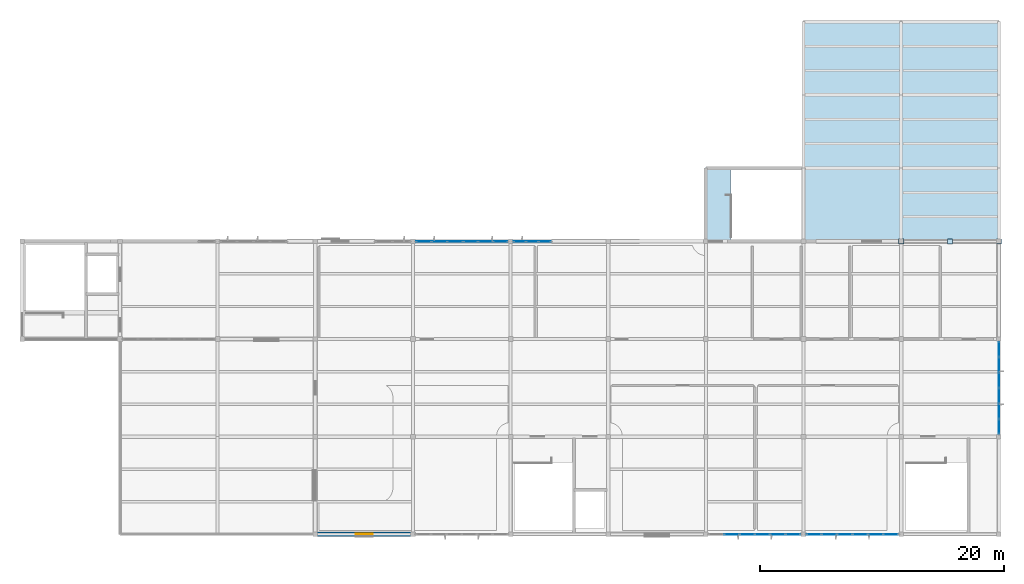
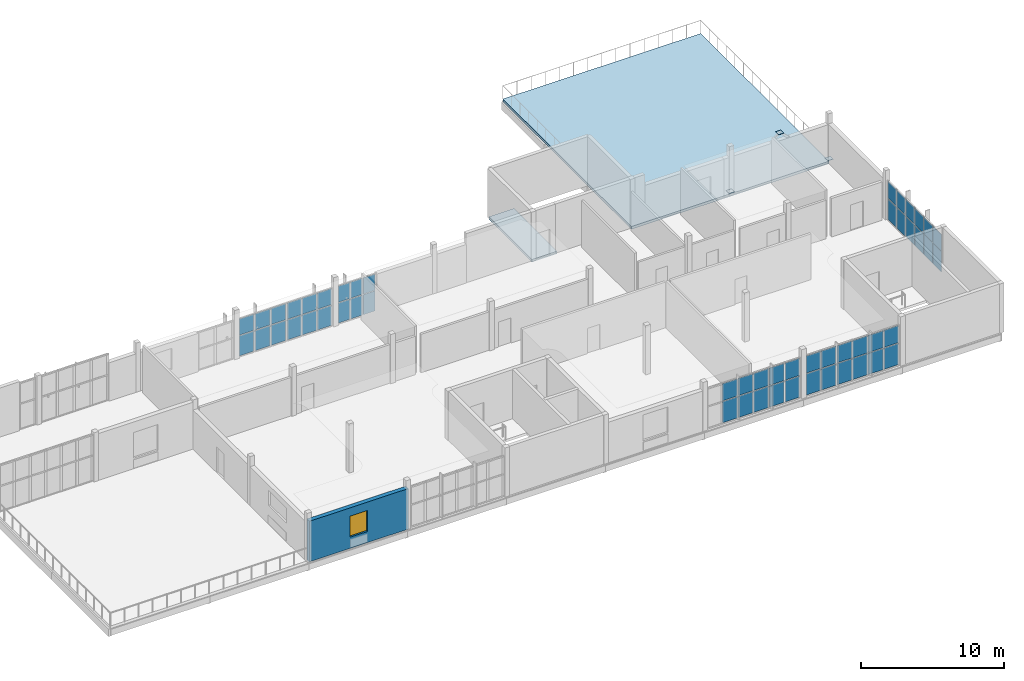
# One storey, part 8 of 15: 55 plates, 2 slabs, 1 wall, 1 window, 1 opening, 6 elements without a shape of their own.
"""IFC4 building model written with IfcOpenShell, lengths in metres."""

from ifc_helpers import new_model, si_unit, direction, frame, frame_2d, origin, origin_2d, place, context, subcontext, project, spatial, polyline, rectangle, outline, extrude, material, layer, layer_set, type_object, element, fill, aggregate, save


model = new_model("IFC4")

# Units and contexts
model_context = context("Model", 3, precision=1e-05, world=origin(), true_north=direction((0.0, 1.0)))
body_context = subcontext(model_context, "Body", "Model", "MODEL_VIEW")
ifc_project = project(units=[si_unit("LENGTHUNIT", "METRE"), si_unit("AREAUNIT", "SQUARE_METRE"), si_unit("VOLUMEUNIT", "CUBIC_METRE"), si_unit("PLANEANGLEUNIT", "RADIAN"), si_unit("MASSUNIT", "GRAM", prefix="KILO")], contexts=[model_context])

# Site, building, storey
site_placement = place(None, origin())
site = spatial("IfcSite", under=ifc_project, at=site_placement, CompositionType="ELEMENT")
building_placement = place(site_placement, origin())
building = spatial("IfcBuilding", under=site, at=building_placement, Name="Solvane Community Centre", CompositionType="ELEMENT")
storey_placement = place(building_placement, frame((0.0, 0.0, 18.0)))
storey = spatial("IfcBuildingStorey", under=building, at=storey_placement, Name="L04", CompositionType="ELEMENT", Elevation=18.0)

# Plates
ifc_material_1 = material(Name="Steel ASTM A572 Grade 50", Category="steel")
ifc_layer_1 = layer(ifc_material_1, 0.02392578125)
ifc_layer_set_1 = layer_set([ifc_layer_1], Name="Steel ASTM A572 Grade 50")
plate_type_1 = type_object("IfcPlateType", Name="Bracing Node Gusset Plate 420x420x24", PredefinedType="USERDEFINED", material=ifc_layer_set_1)
for number, where, z_axis, x_axis, name in (
    (1, (136.0, 30.0, 3.838134765625), (0.0, 0.0, 1.0), (1.0, 0.0, 0.0), "Gusset Plate PLT-L04-0124"),
    (2, (132.0, 30.0, 0.2080078125), (0.0, 0.0, 1.0), (1.0, 0.0, 0.0), "Gusset Plate PLT-L04-0125"),
    (3, (140.0, 30.0, 0.2080078125), (0.0, 0.0, 1.0), (1.0, 0.0, 0.0), "Gusset Plate PLT-L04-0126"),
):
    element("IfcPlate", number, at=place(storey_placement, frame(where, z_axis=z_axis, x_axis=x_axis)), inside=storey, type_object=plate_type_1, Name=name, ObjectType="GUSSET_PLATE", PredefinedType="USERDEFINED", context=body_context, shape_type="SweptSolid", body=[
        extrude(rectangle(XDim=0.419921875, YDim=0.419921875, at=origin_2d()), origin(), (0.0, 0.0, 1.0), 0.02392578125),
    ])

# Curtain wall, plates
ifc_material_2 = material(Name="Anodised bronze aluminium AW-6063 T6", Category="aluminium")
ifc_layer_2 = layer(ifc_material_2, 0.199951171875)
ifc_layer_set_2 = layer_set([ifc_layer_2], Name="Anodised bronze aluminium AW-6063 T6")
curtain_wall_type_1 = type_object("IfcCurtainWallType", Name="Courtyard Cloister Curtain Wall [31x33dm]", PredefinedType="NOTDEFINED", material=ifc_layer_set_2)
curtain_wall_1_placement = place(storey_placement, origin())
curtain_wall_1 = element("IfcCurtainWall", 4, at=curtain_wall_1_placement, inside=storey, type_object=curtain_wall_type_1, Name="Curtain Wall CW-L04-1002_300-240", PredefinedType="NOTDEFINED")
ifc_material_3 = material(Name="Tempered low-E double glazing", Category="glass")
ifc_layer_3 = layer(ifc_material_3, 0.028076171875)
ifc_layer_set_3 = layer_set([ifc_layer_3], Name="Tempered low-E double glazing")
plate_type_2 = type_object("IfcPlateType", Name="Cloister Vision Glazing Panel 28mm [31x33dm]", PredefinedType="CURTAIN_PANEL", material=ifc_layer_set_3)
plate_1_placement = place(storey_placement, frame((100.741455078125, 30.0, 0.06005859375), z_axis=(0.0, 0.0, 1.0), x_axis=(1.0, 0.0, 0.0)))
plate_1 = element("IfcPlate", 5, at=plate_1_placement, type_object=plate_type_2, Name="CW03-31x33 panel 1.1", PredefinedType="CURTAIN_PANEL", context=body_context, shape_type="SweptSolid", body=[
    extrude(rectangle(XDim=0.952880859375, YDim=0.028076171875, at=origin_2d()), origin(), (0.0, 0.0, 1.0), 1.717041015625),
])
plate_2_placement = place(storey_placement, frame((100.741455078125, 30.0, 1.8369140625), z_axis=(0.0, 0.0, 1.0), x_axis=(1.0, 0.0, 0.0)))
plate_2 = element("IfcPlate", 6, at=plate_2_placement, type_object=plate_type_2, Name="CW03-31x33 panel 1.2", PredefinedType="CURTAIN_PANEL", context=body_context, shape_type="SweptSolid", body=[
    extrude(rectangle(XDim=0.952880859375, YDim=0.028076171875, at=origin_2d()), origin(), (0.0, 0.0, 1.0), 1.387939453125),
])
plate_3_placement = place(storey_placement, frame((101.76904296875, 30.0, 0.06005859375), z_axis=(0.0, 0.0, 1.0), x_axis=(1.0, 0.0, 0.0)))
plate_3 = element("IfcPlate", 7, at=plate_3_placement, type_object=plate_type_2, Name="CW03-31x33 panel 2.1", PredefinedType="CURTAIN_PANEL", context=body_context, shape_type="SweptSolid", body=[
    extrude(rectangle(XDim=0.982666015625, YDim=0.028076171875, at=origin_2d()), origin(), (0.0, 0.0, 1.0), 1.717041015625),
])
plate_4_placement = place(storey_placement, frame((101.76904296875, 30.0, 1.8369140625), z_axis=(0.0, 0.0, 1.0), x_axis=(1.0, 0.0, 0.0)))
plate_4 = element("IfcPlate", 8, at=plate_4_placement, type_object=plate_type_2, Name="CW03-31x33 panel 2.2", PredefinedType="CURTAIN_PANEL", context=body_context, shape_type="SweptSolid", body=[
    extrude(rectangle(XDim=0.982666015625, YDim=0.028076171875, at=origin_2d()), origin(), (0.0, 0.0, 1.0), 1.387939453125),
])
plate_5_placement = place(storey_placement, frame((102.796875, 30.0, 0.06005859375), z_axis=(0.0, 0.0, 1.0), x_axis=(1.0, 0.0, 0.0)))
plate_5 = element("IfcPlate", 9, at=plate_5_placement, type_object=plate_type_2, Name="CW03-31x33 panel 3.1", PredefinedType="CURTAIN_PANEL", context=body_context, shape_type="SweptSolid", body=[
    extrude(rectangle(XDim=0.952880859375, YDim=0.028076171875, at=origin_2d()), origin(), (0.0, 0.0, 1.0), 1.717041015625),
])
plate_6_placement = place(storey_placement, frame((102.796875, 30.0, 1.8369140625), z_axis=(0.0, 0.0, 1.0), x_axis=(1.0, 0.0, 0.0)))
plate_6 = element("IfcPlate", 10, at=plate_6_placement, type_object=plate_type_2, Name="CW03-31x33 panel 3.2", PredefinedType="CURTAIN_PANEL", context=body_context, shape_type="SweptSolid", body=[
    extrude(rectangle(XDim=0.952880859375, YDim=0.028076171875, at=origin_2d()), origin(), (0.0, 0.0, 1.0), 1.387939453125),
])
aggregate(curtain_wall_1, [plate_1, plate_2, plate_3, plate_4, plate_5, plate_6])

ifc_layer_4 = layer(ifc_material_2, 0.199951171875)
ifc_layer_set_4 = layer_set([ifc_layer_4], Name="Anodised bronze aluminium AW-6063 T6")
curtain_wall_type_2 = type_object("IfcCurtainWallType", Name="Courtyard Cloister Curtain Wall [37x33dm]", PredefinedType="NOTDEFINED", material=ifc_layer_set_4)
curtain_wall_2_placement = place(storey_placement, origin())
curtain_wall_2 = element("IfcCurtainWall", 11, at=curtain_wall_2_placement, inside=storey, type_object=curtain_wall_type_2, Name="Curtain Wall CW-L04-961_300-239", PredefinedType="NOTDEFINED")
ifc_layer_5 = layer(ifc_material_3, 0.028076171875)
ifc_layer_set_5 = layer_set([ifc_layer_5], Name="Tempered low-E double glazing")
plate_type_3 = type_object("IfcPlateType", Name="Cloister Vision Glazing Panel 28mm [37x33dm]", PredefinedType="CURTAIN_PANEL", material=ifc_layer_set_5)
plate_7_placement = place(storey_placement, frame((96.739990234375, 30.0, 0.06005859375), z_axis=(0.0, 0.0, 1.0), x_axis=(1.0, 0.0, 0.0)))
plate_7 = element("IfcPlate", 12, at=plate_7_placement, type_object=plate_type_3, Name="CW03-37x33 panel 1.1", PredefinedType="CURTAIN_PANEL", context=body_context, shape_type="SweptSolid", body=[
    extrude(rectangle(XDim=1.137939453125, YDim=0.028076171875, at=origin_2d()), origin(), (0.0, 0.0, 1.0), 1.717041015625),
])
plate_8_placement = place(storey_placement, frame((96.739990234375, 30.0, 1.8369140625), z_axis=(0.0, 0.0, 1.0), x_axis=(1.0, 0.0, 0.0)))
plate_8 = element("IfcPlate", 13, at=plate_8_placement, type_object=plate_type_3, Name="CW03-37x33 panel 1.2", PredefinedType="CURTAIN_PANEL", context=body_context, shape_type="SweptSolid", body=[
    extrude(rectangle(XDim=1.137939453125, YDim=0.028076171875, at=origin_2d()), origin(), (0.0, 0.0, 1.0), 1.387939453125),
])
plate_9_placement = place(storey_placement, frame((97.953125, 30.0, 0.06005859375), z_axis=(0.0, 0.0, 1.0), x_axis=(1.0, 0.0, 0.0)))
plate_9 = element("IfcPlate", 14, at=plate_9_placement, type_object=plate_type_3, Name="CW03-37x33 panel 2.1", PredefinedType="CURTAIN_PANEL", context=body_context, shape_type="SweptSolid", body=[
    extrude(rectangle(XDim=1.16796875, YDim=0.028076171875, at=origin_2d()), origin(), (0.0, 0.0, 1.0), 1.717041015625),
])
plate_10_placement = place(storey_placement, frame((97.953125, 30.0, 1.8369140625), z_axis=(0.0, 0.0, 1.0), x_axis=(1.0, 0.0, 0.0)))
plate_10 = element("IfcPlate", 15, at=plate_10_placement, type_object=plate_type_3, Name="CW03-37x33 panel 2.2", PredefinedType="CURTAIN_PANEL", context=body_context, shape_type="SweptSolid", body=[
    extrude(rectangle(XDim=1.16796875, YDim=0.028076171875, at=origin_2d()), origin(), (0.0, 0.0, 1.0), 1.387939453125),
])
plate_11_placement = place(storey_placement, frame((99.166015625, 30.0, 0.06005859375), z_axis=(0.0, 0.0, 1.0), x_axis=(1.0, 0.0, 0.0)))
plate_11 = element("IfcPlate", 16, at=plate_11_placement, type_object=plate_type_3, Name="CW03-37x33 panel 3.1", PredefinedType="CURTAIN_PANEL", context=body_context, shape_type="SweptSolid", body=[
    extrude(rectangle(XDim=1.137939453125, YDim=0.028076171875, at=origin_2d()), origin(), (0.0, 0.0, 1.0), 1.717041015625),
])
plate_12_placement = place(storey_placement, frame((99.166015625, 30.0, 1.8369140625), z_axis=(0.0, 0.0, 1.0), x_axis=(1.0, 0.0, 0.0)))
plate_12 = element("IfcPlate", 17, at=plate_12_placement, type_object=plate_type_3, Name="CW03-37x33 panel 3.2", PredefinedType="CURTAIN_PANEL", context=body_context, shape_type="SweptSolid", body=[
    extrude(rectangle(XDim=1.137939453125, YDim=0.028076171875, at=origin_2d()), origin(), (0.0, 0.0, 1.0), 1.387939453125),
])
aggregate(curtain_wall_2, [plate_7, plate_8, plate_9, plate_10, plate_11, plate_12])

ifc_layer_6 = layer(ifc_material_2, 0.199951171875)
ifc_layer_set_6 = layer_set([ifc_layer_6], Name="Anodised bronze aluminium AW-6063 T6")
curtain_wall_type_3 = type_object("IfcCurtainWallType", Name="Courtyard Cloister Curtain Wall [39x33dm]", PredefinedType="NOTDEFINED", material=ifc_layer_set_6)
curtain_wall_3_placement = place(storey_placement, origin())
curtain_wall_3 = element("IfcCurtainWall", 18, at=curtain_wall_3_placement, inside=storey, type_object=curtain_wall_type_3, Name="Curtain Wall CW-L04-922_300-238", PredefinedType="NOTDEFINED")
ifc_layer_7 = layer(ifc_material_3, 0.028076171875)
ifc_layer_set_7 = layer_set([ifc_layer_7], Name="Tempered low-E double glazing")
plate_type_4 = type_object("IfcPlateType", Name="Cloister Vision Glazing Panel 28mm [39x33dm]", PredefinedType="CURTAIN_PANEL", material=ifc_layer_set_7)
plate_13_placement = place(storey_placement, frame((92.87109375, 30.0, 0.06005859375), z_axis=(0.0, 0.0, 1.0), x_axis=(1.0, 0.0, 0.0)))
plate_13 = element("IfcPlate", 19, at=plate_13_placement, type_object=plate_type_4, Name="CW03-39x33 panel 1.1", PredefinedType="CURTAIN_PANEL", context=body_context, shape_type="SweptSolid", body=[
    extrude(rectangle(XDim=1.2119140625, YDim=0.028076171875, at=origin_2d()), origin(), (0.0, 0.0, 1.0), 1.717041015625),
])
plate_14_placement = place(storey_placement, frame((92.87109375, 30.0, 1.8369140625), z_axis=(0.0, 0.0, 1.0), x_axis=(1.0, 0.0, 0.0)))
plate_14 = element("IfcPlate", 20, at=plate_14_placement, type_object=plate_type_4, Name="CW03-39x33 panel 1.2", PredefinedType="CURTAIN_PANEL", context=body_context, shape_type="SweptSolid", body=[
    extrude(rectangle(XDim=1.2119140625, YDim=0.028076171875, at=origin_2d()), origin(), (0.0, 0.0, 1.0), 1.387939453125),
])
plate_15_placement = place(storey_placement, frame((94.157958984375, 30.0, 0.06005859375), z_axis=(0.0, 0.0, 1.0), x_axis=(1.0, 0.0, 0.0)))
plate_15 = element("IfcPlate", 21, at=plate_15_placement, type_object=plate_type_4, Name="CW03-39x33 panel 2.1", PredefinedType="CURTAIN_PANEL", context=body_context, shape_type="SweptSolid", body=[
    extrude(rectangle(XDim=1.241943359375, YDim=0.028076171875, at=origin_2d()), origin(), (0.0, 0.0, 1.0), 1.717041015625),
])
plate_16_placement = place(storey_placement, frame((94.157958984375, 30.0, 1.8369140625), z_axis=(0.0, 0.0, 1.0), x_axis=(1.0, 0.0, 0.0)))
plate_16 = element("IfcPlate", 22, at=plate_16_placement, type_object=plate_type_4, Name="CW03-39x33 panel 2.2", PredefinedType="CURTAIN_PANEL", context=body_context, shape_type="SweptSolid", body=[
    extrude(rectangle(XDim=1.241943359375, YDim=0.028076171875, at=origin_2d()), origin(), (0.0, 0.0, 1.0), 1.387939453125),
])
plate_17_placement = place(storey_placement, frame((95.445068359375, 30.0, 0.06005859375), z_axis=(0.0, 0.0, 1.0), x_axis=(1.0, 0.0, 0.0)))
plate_17 = element("IfcPlate", 23, at=plate_17_placement, type_object=plate_type_4, Name="CW03-39x33 panel 3.1", PredefinedType="CURTAIN_PANEL", context=body_context, shape_type="SweptSolid", body=[
    extrude(rectangle(XDim=1.2119140625, YDim=0.028076171875, at=origin_2d()), origin(), (0.0, 0.0, 1.0), 1.717041015625),
])
plate_18_placement = place(storey_placement, frame((95.445068359375, 30.0, 1.8369140625), z_axis=(0.0, 0.0, 1.0), x_axis=(1.0, 0.0, 0.0)))
plate_18 = element("IfcPlate", 24, at=plate_18_placement, type_object=plate_type_4, Name="CW03-39x33 panel 3.2", PredefinedType="CURTAIN_PANEL", context=body_context, shape_type="SweptSolid", body=[
    extrude(rectangle(XDim=1.2119140625, YDim=0.028076171875, at=origin_2d()), origin(), (0.0, 0.0, 1.0), 1.387939453125),
])
aggregate(curtain_wall_3, [plate_13, plate_14, plate_15, plate_16, plate_17, plate_18])

ifc_layer_8 = layer(ifc_material_2, 0.199951171875)
ifc_layer_set_8 = layer_set([ifc_layer_8], Name="Anodised bronze aluminium AW-6063 T6")
curtain_wall_type_4 = type_object("IfcCurtainWallType", Name="Courtyard Cloister Curtain Wall [76x33dm]", PredefinedType="NOTDEFINED", material=ifc_layer_set_8)
curtain_wall_4_placement = place(storey_placement, origin())
curtain_wall_4 = element("IfcCurtainWall", 25, at=curtain_wall_4_placement, inside=storey, type_object=curtain_wall_type_4, Name="Curtain Wall CW-L04-1400_218-241", PredefinedType="NOTDEFINED")
ifc_layer_9 = layer(ifc_material_3, 0.028076171875)
ifc_layer_set_9 = layer_set([ifc_layer_9], Name="Tempered low-E double glazing")
plate_type_5 = type_object("IfcPlateType", Name="Cloister Vision Glazing Panel 28mm [76x33dm]", PredefinedType="CURTAIN_PANEL", material=ifc_layer_set_9)
plate_19_placement = place(storey_placement, frame((140.0, 21.15576171875, 0.06005859375), z_axis=(0.0, 0.0, 1.0), x_axis=(0.0, -1.0, 0.0)))
plate_19 = element("IfcPlate", 26, at=plate_19_placement, type_object=plate_type_5, Name="CW03-76x33 panel 1.1", PredefinedType="CURTAIN_PANEL", context=body_context, shape_type="SweptSolid", body=[
    extrude(rectangle(XDim=1.17822265625, YDim=0.028076171875, at=origin_2d()), origin(), (0.0, 0.0, 1.0), 1.75),
])
plate_20_placement = place(storey_placement, frame((140.0, 21.15576171875, 1.869873046875), z_axis=(0.0, 0.0, 1.0), x_axis=(0.0, -1.0, 0.0)))
plate_20 = element("IfcPlate", 27, at=plate_20_placement, type_object=plate_type_5, Name="CW03-76x33 panel 1.2", PredefinedType="CURTAIN_PANEL", context=body_context, shape_type="SweptSolid", body=[
    extrude(rectangle(XDim=1.17822265625, YDim=0.028076171875, at=origin_2d()), origin(), (0.0, 0.0, 1.0), 1.4150390625),
])
plate_21_placement = place(storey_placement, frame((140.0, 19.902587890625, 0.06005859375), z_axis=(0.0, 0.0, 1.0), x_axis=(0.0, -1.0, 0.0)))
plate_21 = element("IfcPlate", 28, at=plate_21_placement, type_object=plate_type_5, Name="CW03-76x33 panel 2.1", PredefinedType="CURTAIN_PANEL", context=body_context, shape_type="SweptSolid", body=[
    extrude(rectangle(XDim=1.208251953125, YDim=0.028076171875, at=origin_2d()), origin(), (0.0, 0.0, 1.0), 1.75),
])
plate_22_placement = place(storey_placement, frame((140.0, 19.902587890625, 1.869873046875), z_axis=(0.0, 0.0, 1.0), x_axis=(0.0, -1.0, 0.0)))
plate_22 = element("IfcPlate", 29, at=plate_22_placement, type_object=plate_type_5, Name="CW03-76x33 panel 2.2", PredefinedType="CURTAIN_PANEL", context=body_context, shape_type="SweptSolid", body=[
    extrude(rectangle(XDim=1.208251953125, YDim=0.028076171875, at=origin_2d()), origin(), (0.0, 0.0, 1.0), 1.4150390625),
])
plate_23_placement = place(storey_placement, frame((140.0, 18.63427734375, 0.06005859375), z_axis=(0.0, 0.0, 1.0), x_axis=(0.0, -1.0, 0.0)))
plate_23 = element("IfcPlate", 30, at=plate_23_placement, type_object=plate_type_5, Name="CW03-76x33 panel 3.1", PredefinedType="CURTAIN_PANEL", context=body_context, shape_type="SweptSolid", body=[
    extrude(rectangle(XDim=1.208251953125, YDim=0.028076171875, at=origin_2d()), origin(), (0.0, 0.0, 1.0), 1.75),
])
plate_24_placement = place(storey_placement, frame((140.0, 18.63427734375, 1.869873046875), z_axis=(0.0, 0.0, 1.0), x_axis=(0.0, -1.0, 0.0)))
plate_24 = element("IfcPlate", 31, at=plate_24_placement, type_object=plate_type_5, Name="CW03-76x33 panel 3.2", PredefinedType="CURTAIN_PANEL", context=body_context, shape_type="SweptSolid", body=[
    extrude(rectangle(XDim=1.208251953125, YDim=0.028076171875, at=origin_2d()), origin(), (0.0, 0.0, 1.0), 1.4150390625),
])
plate_25_placement = place(storey_placement, frame((140.0, 17.36572265625, 0.06005859375), z_axis=(0.0, 0.0, 1.0), x_axis=(0.0, -1.0, 0.0)))
plate_25 = element("IfcPlate", 32, at=plate_25_placement, type_object=plate_type_5, Name="CW03-76x33 panel 4.1", PredefinedType="CURTAIN_PANEL", context=body_context, shape_type="SweptSolid", body=[
    extrude(rectangle(XDim=1.208251953125, YDim=0.028076171875, at=origin_2d()), origin(), (0.0, 0.0, 1.0), 1.75),
])
plate_26_placement = place(storey_placement, frame((140.0, 17.36572265625, 1.869873046875), z_axis=(0.0, 0.0, 1.0), x_axis=(0.0, -1.0, 0.0)))
plate_26 = element("IfcPlate", 33, at=plate_26_placement, type_object=plate_type_5, Name="CW03-76x33 panel 4.2", PredefinedType="CURTAIN_PANEL", context=body_context, shape_type="SweptSolid", body=[
    extrude(rectangle(XDim=1.208251953125, YDim=0.028076171875, at=origin_2d()), origin(), (0.0, 0.0, 1.0), 1.4150390625),
])
plate_27_placement = place(storey_placement, frame((140.0, 16.097412109375, 0.06005859375), z_axis=(0.0, 0.0, 1.0), x_axis=(0.0, -1.0, 0.0)))
plate_27 = element("IfcPlate", 34, at=plate_27_placement, type_object=plate_type_5, Name="CW03-76x33 panel 5.1", PredefinedType="CURTAIN_PANEL", context=body_context, shape_type="SweptSolid", body=[
    extrude(rectangle(XDim=1.208251953125, YDim=0.028076171875, at=origin_2d()), origin(), (0.0, 0.0, 1.0), 1.75),
])
plate_28_placement = place(storey_placement, frame((140.0, 16.097412109375, 1.869873046875), z_axis=(0.0, 0.0, 1.0), x_axis=(0.0, -1.0, 0.0)))
plate_28 = element("IfcPlate", 35, at=plate_28_placement, type_object=plate_type_5, Name="CW03-76x33 panel 5.2", PredefinedType="CURTAIN_PANEL", context=body_context, shape_type="SweptSolid", body=[
    extrude(rectangle(XDim=1.208251953125, YDim=0.028076171875, at=origin_2d()), origin(), (0.0, 0.0, 1.0), 1.4150390625),
])
plate_29_placement = place(storey_placement, frame((140.0, 14.84423828125, 0.06005859375), z_axis=(0.0, 0.0, 1.0), x_axis=(0.0, -1.0, 0.0)))
plate_29 = element("IfcPlate", 36, at=plate_29_placement, type_object=plate_type_5, Name="CW03-76x33 panel 6.1", PredefinedType="CURTAIN_PANEL", context=body_context, shape_type="SweptSolid", body=[
    extrude(rectangle(XDim=1.17822265625, YDim=0.028076171875, at=origin_2d()), origin(), (0.0, 0.0, 1.0), 1.75),
])
plate_30_placement = place(storey_placement, frame((140.0, 14.84423828125, 1.869873046875), z_axis=(0.0, 0.0, 1.0), x_axis=(0.0, -1.0, 0.0)))
plate_30 = element("IfcPlate", 37, at=plate_30_placement, type_object=plate_type_5, Name="CW03-76x33 panel 6.2", PredefinedType="CURTAIN_PANEL", context=body_context, shape_type="SweptSolid", body=[
    extrude(rectangle(XDim=1.17822265625, YDim=0.028076171875, at=origin_2d()), origin(), (0.0, 0.0, 1.0), 1.4150390625),
])
aggregate(curtain_wall_4, [plate_19, plate_20, plate_21, plate_22, plate_23, plate_24, plate_25, plate_26, plate_27, plate_28, plate_29, plate_30])

ifc_layer_10 = layer(ifc_material_2, 0.199951171875)
ifc_layer_set_10 = layer_set([ifc_layer_10], Name="Anodised bronze aluminium AW-6063 T6")
curtain_wall_type_5 = type_object("IfcCurtainWallType", Name="Courtyard Cloister Curtain Wall [76x35dm]", PredefinedType="NOTDEFINED", material=ifc_layer_set_10)
curtain_wall_5_placement = place(storey_placement, origin())
curtain_wall_5 = element("IfcCurtainWall", 38, at=curtain_wall_5_placement, inside=storey, type_object=curtain_wall_type_5, Name="Curtain Wall CW-L04-1318_60-231", PredefinedType="NOTDEFINED")
ifc_layer_11 = layer(ifc_material_3, 0.028076171875)
ifc_layer_set_11 = layer_set([ifc_layer_11], Name="Tempered low-E double glazing")
plate_type_6 = type_object("IfcPlateType", Name="Cloister Vision Glazing Panel 28mm [76x35dm]", PredefinedType="CURTAIN_PANEL", material=ifc_layer_set_11)
plate_31_placement = place(storey_placement, frame((131.1474609375, 6.0, 0.06005859375), z_axis=(0.0, 0.0, 1.0), x_axis=(-1.0, 0.0, 0.0)))
plate_31 = element("IfcPlate", 39, at=plate_31_placement, type_object=plate_type_6, Name="CW03-76x35 panel 1.1", PredefinedType="CURTAIN_PANEL", context=body_context, shape_type="SweptSolid", body=[
    extrude(rectangle(XDim=1.175048828125, YDim=0.028076171875, at=origin_2d()), origin(), (0.0, 0.0, 1.0), 1.81591796875),
])
plate_32_placement = place(storey_placement, frame((131.1474609375, 6.0, 1.93603515625), z_axis=(0.0, 0.0, 1.0), x_axis=(-1.0, 0.0, 0.0)))
plate_32 = element("IfcPlate", 40, at=plate_32_placement, type_object=plate_type_6, Name="CW03-76x35 panel 1.2", PredefinedType="CURTAIN_PANEL", context=body_context, shape_type="SweptSolid", body=[
    extrude(rectangle(XDim=1.175048828125, YDim=0.028076171875, at=origin_2d()), origin(), (0.0, 0.0, 1.0), 1.468994140625),
])
plate_33_placement = place(storey_placement, frame((129.8974609375, 6.0, 0.06005859375), z_axis=(0.0, 0.0, 1.0), x_axis=(-1.0, 0.0, 0.0)))
plate_33 = element("IfcPlate", 41, at=plate_33_placement, type_object=plate_type_6, Name="CW03-76x35 panel 2.1", PredefinedType="CURTAIN_PANEL", context=body_context, shape_type="SweptSolid", body=[
    extrude(rectangle(XDim=1.205078125, YDim=0.028076171875, at=origin_2d()), origin(), (0.0, 0.0, 1.0), 1.81591796875),
])
plate_34_placement = place(storey_placement, frame((129.8974609375, 6.0, 1.93603515625), z_axis=(0.0, 0.0, 1.0), x_axis=(-1.0, 0.0, 0.0)))
plate_34 = element("IfcPlate", 42, at=plate_34_placement, type_object=plate_type_6, Name="CW03-76x35 panel 2.2", PredefinedType="CURTAIN_PANEL", context=body_context, shape_type="SweptSolid", body=[
    extrude(rectangle(XDim=1.205078125, YDim=0.028076171875, at=origin_2d()), origin(), (0.0, 0.0, 1.0), 1.468994140625),
])
plate_35_placement = place(storey_placement, frame((128.632568359375, 6.0, 0.06005859375), z_axis=(0.0, 0.0, 1.0), x_axis=(-1.0, 0.0, 0.0)))
plate_35 = element("IfcPlate", 43, at=plate_35_placement, type_object=plate_type_6, Name="CW03-76x35 panel 3.1", PredefinedType="CURTAIN_PANEL", context=body_context, shape_type="SweptSolid", body=[
    extrude(rectangle(XDim=1.205078125, YDim=0.028076171875, at=origin_2d()), origin(), (0.0, 0.0, 1.0), 1.81591796875),
])
plate_36_placement = place(storey_placement, frame((128.632568359375, 6.0, 1.93603515625), z_axis=(0.0, 0.0, 1.0), x_axis=(-1.0, 0.0, 0.0)))
plate_36 = element("IfcPlate", 44, at=plate_36_placement, type_object=plate_type_6, Name="CW03-76x35 panel 3.2", PredefinedType="CURTAIN_PANEL", context=body_context, shape_type="SweptSolid", body=[
    extrude(rectangle(XDim=1.205078125, YDim=0.028076171875, at=origin_2d()), origin(), (0.0, 0.0, 1.0), 1.468994140625),
])
plate_37_placement = place(storey_placement, frame((127.367431640625, 6.0, 0.06005859375), z_axis=(0.0, 0.0, 1.0), x_axis=(-1.0, 0.0, 0.0)))
plate_37 = element("IfcPlate", 45, at=plate_37_placement, type_object=plate_type_6, Name="CW03-76x35 panel 4.1", PredefinedType="CURTAIN_PANEL", context=body_context, shape_type="SweptSolid", body=[
    extrude(rectangle(XDim=1.205078125, YDim=0.028076171875, at=origin_2d()), origin(), (0.0, 0.0, 1.0), 1.81591796875),
])
plate_38_placement = place(storey_placement, frame((127.367431640625, 6.0, 1.93603515625), z_axis=(0.0, 0.0, 1.0), x_axis=(-1.0, 0.0, 0.0)))
plate_38 = element("IfcPlate", 46, at=plate_38_placement, type_object=plate_type_6, Name="CW03-76x35 panel 4.2", PredefinedType="CURTAIN_PANEL", context=body_context, shape_type="SweptSolid", body=[
    extrude(rectangle(XDim=1.205078125, YDim=0.028076171875, at=origin_2d()), origin(), (0.0, 0.0, 1.0), 1.468994140625),
])
plate_39_placement = place(storey_placement, frame((126.1025390625, 6.0, 0.06005859375), z_axis=(0.0, 0.0, 1.0), x_axis=(-1.0, 0.0, 0.0)))
plate_39 = element("IfcPlate", 47, at=plate_39_placement, type_object=plate_type_6, Name="CW03-76x35 panel 5.1", PredefinedType="CURTAIN_PANEL", context=body_context, shape_type="SweptSolid", body=[
    extrude(rectangle(XDim=1.205078125, YDim=0.028076171875, at=origin_2d()), origin(), (0.0, 0.0, 1.0), 1.81591796875),
])
plate_40_placement = place(storey_placement, frame((126.1025390625, 6.0, 1.93603515625), z_axis=(0.0, 0.0, 1.0), x_axis=(-1.0, 0.0, 0.0)))
plate_40 = element("IfcPlate", 48, at=plate_40_placement, type_object=plate_type_6, Name="CW03-76x35 panel 5.2", PredefinedType="CURTAIN_PANEL", context=body_context, shape_type="SweptSolid", body=[
    extrude(rectangle(XDim=1.205078125, YDim=0.028076171875, at=origin_2d()), origin(), (0.0, 0.0, 1.0), 1.468994140625),
])
plate_41_placement = place(storey_placement, frame((124.8525390625, 6.0, 0.06005859375), z_axis=(0.0, 0.0, 1.0), x_axis=(-1.0, 0.0, 0.0)))
plate_41 = element("IfcPlate", 49, at=plate_41_placement, type_object=plate_type_6, Name="CW03-76x35 panel 6.1", PredefinedType="CURTAIN_PANEL", context=body_context, shape_type="SweptSolid", body=[
    extrude(rectangle(XDim=1.175048828125, YDim=0.028076171875, at=origin_2d()), origin(), (0.0, 0.0, 1.0), 1.81591796875),
])
plate_42_placement = place(storey_placement, frame((124.8525390625, 6.0, 1.93603515625), z_axis=(0.0, 0.0, 1.0), x_axis=(-1.0, 0.0, 0.0)))
plate_42 = element("IfcPlate", 50, at=plate_42_placement, type_object=plate_type_6, Name="CW03-76x35 panel 6.2", PredefinedType="CURTAIN_PANEL", context=body_context, shape_type="SweptSolid", body=[
    extrude(rectangle(XDim=1.175048828125, YDim=0.028076171875, at=origin_2d()), origin(), (0.0, 0.0, 1.0), 1.468994140625),
])
aggregate(curtain_wall_5, [plate_31, plate_32, plate_33, plate_34, plate_35, plate_36, plate_37, plate_38, plate_39, plate_40, plate_41, plate_42])

curtain_wall_6_placement = place(storey_placement, origin())
curtain_wall_6 = element("IfcCurtainWall", 51, at=curtain_wall_6_placement, inside=storey, type_object=curtain_wall_type_5, Name="Curtain Wall CW-L04-1238_60-232", PredefinedType="NOTDEFINED")
plate_43_placement = place(storey_placement, frame((123.1474609375, 6.0, 0.06005859375), z_axis=(0.0, 0.0, 1.0), x_axis=(-1.0, 0.0, 0.0)))
plate_43 = element("IfcPlate", 52, at=plate_43_placement, type_object=plate_type_6, Name="CW03-76x35 panel 1.1", PredefinedType="CURTAIN_PANEL", context=body_context, shape_type="SweptSolid", body=[
    extrude(rectangle(XDim=1.175048828125, YDim=0.028076171875, at=origin_2d()), origin(), (0.0, 0.0, 1.0), 1.81591796875),
])
plate_44_placement = place(storey_placement, frame((123.1474609375, 6.0, 1.93603515625), z_axis=(0.0, 0.0, 1.0), x_axis=(-1.0, 0.0, 0.0)))
plate_44 = element("IfcPlate", 53, at=plate_44_placement, type_object=plate_type_6, Name="CW03-76x35 panel 1.2", PredefinedType="CURTAIN_PANEL", context=body_context, shape_type="SweptSolid", body=[
    extrude(rectangle(XDim=1.175048828125, YDim=0.028076171875, at=origin_2d()), origin(), (0.0, 0.0, 1.0), 1.468994140625),
])
plate_45_placement = place(storey_placement, frame((121.8974609375, 6.0, 0.06005859375), z_axis=(0.0, 0.0, 1.0), x_axis=(-1.0, 0.0, 0.0)))
plate_45 = element("IfcPlate", 54, at=plate_45_placement, type_object=plate_type_6, Name="CW03-76x35 panel 2.1", PredefinedType="CURTAIN_PANEL", context=body_context, shape_type="SweptSolid", body=[
    extrude(rectangle(XDim=1.205078125, YDim=0.028076171875, at=origin_2d()), origin(), (0.0, 0.0, 1.0), 1.81591796875),
])
plate_46_placement = place(storey_placement, frame((121.8974609375, 6.0, 1.93603515625), z_axis=(0.0, 0.0, 1.0), x_axis=(-1.0, 0.0, 0.0)))
plate_46 = element("IfcPlate", 55, at=plate_46_placement, type_object=plate_type_6, Name="CW03-76x35 panel 2.2", PredefinedType="CURTAIN_PANEL", context=body_context, shape_type="SweptSolid", body=[
    extrude(rectangle(XDim=1.205078125, YDim=0.028076171875, at=origin_2d()), origin(), (0.0, 0.0, 1.0), 1.468994140625),
])
plate_47_placement = place(storey_placement, frame((120.632568359375, 6.0, 0.06005859375), z_axis=(0.0, 0.0, 1.0), x_axis=(-1.0, 0.0, 0.0)))
plate_47 = element("IfcPlate", 56, at=plate_47_placement, type_object=plate_type_6, Name="CW03-76x35 panel 3.1", PredefinedType="CURTAIN_PANEL", context=body_context, shape_type="SweptSolid", body=[
    extrude(rectangle(XDim=1.205078125, YDim=0.028076171875, at=origin_2d()), origin(), (0.0, 0.0, 1.0), 1.81591796875),
])
plate_48_placement = place(storey_placement, frame((120.632568359375, 6.0, 1.93603515625), z_axis=(0.0, 0.0, 1.0), x_axis=(-1.0, 0.0, 0.0)))
plate_48 = element("IfcPlate", 57, at=plate_48_placement, type_object=plate_type_6, Name="CW03-76x35 panel 3.2", PredefinedType="CURTAIN_PANEL", context=body_context, shape_type="SweptSolid", body=[
    extrude(rectangle(XDim=1.205078125, YDim=0.028076171875, at=origin_2d()), origin(), (0.0, 0.0, 1.0), 1.468994140625),
])
plate_49_placement = place(storey_placement, frame((119.367431640625, 6.0, 0.06005859375), z_axis=(0.0, 0.0, 1.0), x_axis=(-1.0, 0.0, 0.0)))
plate_49 = element("IfcPlate", 58, at=plate_49_placement, type_object=plate_type_6, Name="CW03-76x35 panel 4.1", PredefinedType="CURTAIN_PANEL", context=body_context, shape_type="SweptSolid", body=[
    extrude(rectangle(XDim=1.205078125, YDim=0.028076171875, at=origin_2d()), origin(), (0.0, 0.0, 1.0), 1.81591796875),
])
plate_50_placement = place(storey_placement, frame((119.367431640625, 6.0, 1.93603515625), z_axis=(0.0, 0.0, 1.0), x_axis=(-1.0, 0.0, 0.0)))
plate_50 = element("IfcPlate", 59, at=plate_50_placement, type_object=plate_type_6, Name="CW03-76x35 panel 4.2", PredefinedType="CURTAIN_PANEL", context=body_context, shape_type="SweptSolid", body=[
    extrude(rectangle(XDim=1.205078125, YDim=0.028076171875, at=origin_2d()), origin(), (0.0, 0.0, 1.0), 1.468994140625),
])
plate_51_placement = place(storey_placement, frame((118.1025390625, 6.0, 0.06005859375), z_axis=(0.0, 0.0, 1.0), x_axis=(-1.0, 0.0, 0.0)))
plate_51 = element("IfcPlate", 60, at=plate_51_placement, type_object=plate_type_6, Name="CW03-76x35 panel 5.1", PredefinedType="CURTAIN_PANEL", context=body_context, shape_type="SweptSolid", body=[
    extrude(rectangle(XDim=1.205078125, YDim=0.028076171875, at=origin_2d()), origin(), (0.0, 0.0, 1.0), 1.81591796875),
])
plate_52_placement = place(storey_placement, frame((118.1025390625, 6.0, 1.93603515625), z_axis=(0.0, 0.0, 1.0), x_axis=(-1.0, 0.0, 0.0)))
plate_52 = element("IfcPlate", 61, at=plate_52_placement, type_object=plate_type_6, Name="CW03-76x35 panel 5.2", PredefinedType="CURTAIN_PANEL", context=body_context, shape_type="SweptSolid", body=[
    extrude(rectangle(XDim=1.205078125, YDim=0.028076171875, at=origin_2d()), origin(), (0.0, 0.0, 1.0), 1.468994140625),
])
aggregate(curtain_wall_6, [plate_43, plate_44, plate_45, plate_46, plate_47, plate_48, plate_49, plate_50, plate_51, plate_52])

# Slabs
ifc_material_4 = material(Name="Concrete C35/45", Category="concrete")
ifc_layer_12 = layer(ifc_material_4, 0.219970703125)
ifc_layer_set_12 = layer_set([ifc_layer_12], Name="Concrete C35/45")
slab_type_1 = type_object("IfcSlabType", Name="Insulated Planted Terrace Slab 220mm [TER-L04-V4E]", PredefinedType="FLOOR", material=ifc_layer_set_12)
slab_1_placement = place(storey_placement, frame((0.0, 0.0, -0.219970703125)))
element("IfcSlab", 62, at=slab_1_placement, inside=storey, type_object=slab_type_1, Name="Upper East Seminar Roof Terrace", PredefinedType="FLOOR", context=body_context, shape_type="SweptSolid", body=[
    extrude(outline(polyline([(124.0, 30.0), (140.0, 30.0), (140.0, 48.0), (124.0, 48.0), (124.0, 30.0)])), origin(), (0.0, 0.0, 1.0), 0.219970703125),
])
ifc_layer_13 = layer(ifc_material_4, 0.219970703125)
ifc_layer_set_13 = layer_set([ifc_layer_13], Name="Concrete C35/45")
slab_type_2 = type_object("IfcSlabType", Name="RC Core Floor Landing Slab 220mm", PredefinedType="LANDING", material=ifc_layer_set_13)
slab_2_placement = place(storey_placement, frame((0.0, 0.0, -0.219970703125)))
element("IfcSlab", 63, at=slab_2_placement, inside=storey, type_object=slab_type_2, Name="Stair Entry Landing SLB-FL-STR-C4-L03-TOP", PredefinedType="LANDING", context=body_context, shape_type="SweptSolid", body=[
    extrude(outline(polyline([(115.9599609375, 36.0400390625), (118.0, 36.0400390625), (118.0, 30.0048828125), (115.9599609375, 30.0048828125), (115.9599609375, 36.0400390625)])), origin(), (0.0, 0.0, 1.0), 0.219970703125),
])

# Wall, opening, window
ifc_material_5 = material(Name="Precast concrete C35/45", Category="concrete")
ifc_layer_14 = layer(ifc_material_5, 0.35009765625)
ifc_layer_set_14 = layer_set([ifc_layer_14], Name="Precast concrete C35/45")
wall_type = type_object("IfcWallType", Name="Art Deco Limestone Cavity Wall 350mm [80x35dm]", PredefinedType="SOLIDWALL", material=ifc_layer_set_14)
wall_placement = place(storey_placement, frame((92.0, 6.0, 0.0), z_axis=(0.0, 0.0, 1.0), x_axis=(-1.0, 0.0, 0.0)))
wall = element("IfcWall", 64, at=wall_placement, inside=storey, type_object=wall_type, Name="Exterior Wall WL-EXT-L04-0159", PredefinedType="SOLIDWALL", context=body_context, shape_type="SweptSolid", body=[
    extrude(rectangle(XDim=8.0, YDim=0.35009765625, at=frame_2d((4.0, 0.0))), origin(), (0.0, 0.0, 1.0), 3.465087890625),
])
opening_placement = place(wall_placement, frame((3.300048828125, 0.0, 0.949951171875)))
opening = element("IfcOpeningElement", 65, at=opening_placement, cuts=wall, Name="Opening WN05", PredefinedType="OPENING", context=body_context, shape_type="SweptSolid", body=[
    extrude(rectangle(XDim=1.39990234375, YDim=1.800048828125, at=frame_2d((0.699951171875, 0.89990234375))), frame((0.0, 0.18505859375, 0.0), z_axis=(0.0, -1.0, 0.0), x_axis=(1.0, 0.0, 0.0)), (0.0, 0.0, 1.0), 0.3701171875),
])
window_type = type_object("IfcWindowType", Name="Studio Deep-Reveal Window 1400x1800", PartitioningType="SINGLE_PANEL", PredefinedType="WINDOW", material=ifc_material_3)
window_placement = place(opening_placement, origin())
window = element("IfcWindow", 66, at=window_placement, inside=storey, type_object=window_type, Name="L04-W071", OverallHeight=1.800048828125, OverallWidth=1.39990234375, PartitioningType="SINGLE_PANEL", PredefinedType="WINDOW", context=body_context, shape_type="SweptSolid", body=[
    extrude(rectangle(XDim=1.39990234375, YDim=1.800048828125, at=frame_2d((0.699951171875, 0.89990234375))), frame((0.0, 0.030029296875, 0.0), z_axis=(0.0, -1.0, 0.0), x_axis=(1.0, 0.0, 0.0)), (0.0, 0.0, 1.0), 0.06005859375),
])
fill(opening, window)

save(model, "model.ifc")
